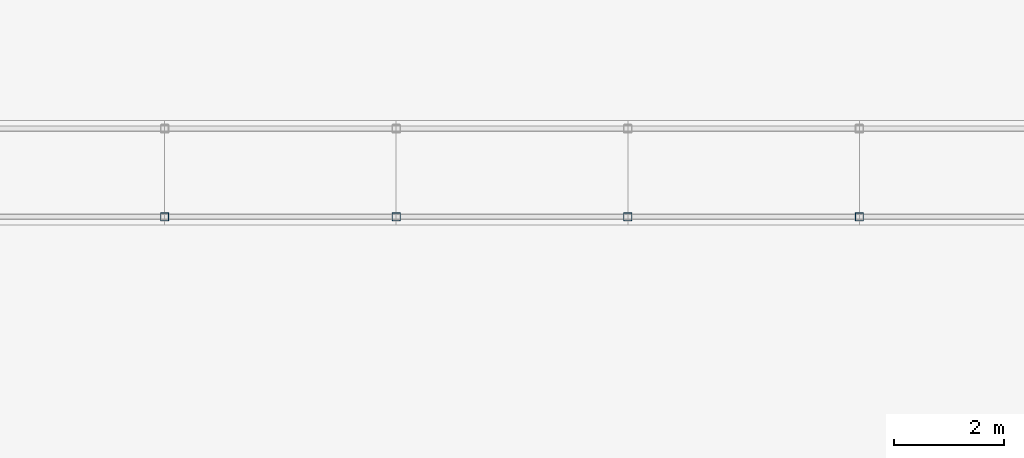
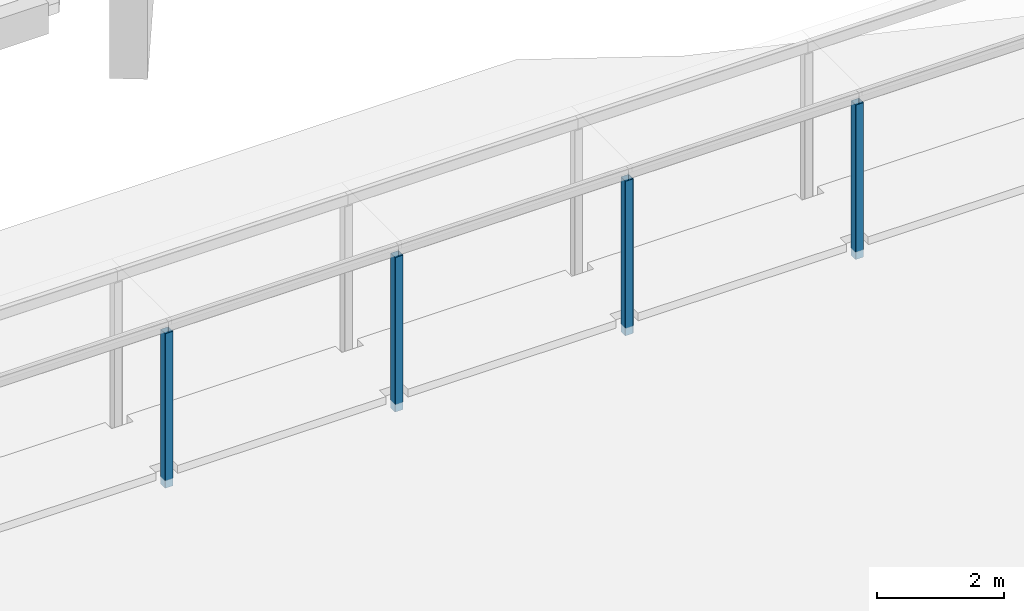
# One storey, part 4 of 116: 4 columns.
"""IFC4 building model written with IfcOpenShell, lengths in metres."""

from ifc_helpers import new_model, si_unit, direction, frame, origin, origin_2d, place, context, subcontext, project, spatial, hollow_rectangle, extrude, material, material_profile, profile_set, type_object, element, save


model = new_model("IFC4")

# Units and contexts
model_context = context("Model", 3, precision=1e-05, world=origin(), true_north=direction((0.0, 1.0)))
body_context = subcontext(model_context, "Body", "Model", "MODEL_VIEW")
ifc_project = project(units=[si_unit("LENGTHUNIT", "METRE"), si_unit("AREAUNIT", "SQUARE_METRE"), si_unit("VOLUMEUNIT", "CUBIC_METRE"), si_unit("PLANEANGLEUNIT", "RADIAN"), si_unit("MASSUNIT", "GRAM", prefix="KILO")], contexts=[model_context])

# Site, building, storey
site_placement = place(None, origin())
site = spatial("IfcSite", under=ifc_project, at=site_placement, CompositionType="ELEMENT")
building_placement = place(site_placement, origin())
building = spatial("IfcBuilding", under=site, at=building_placement, Name="Ardhachandra Cancer Care Centre", CompositionType="ELEMENT")
storey_placement = place(building_placement, origin())
storey = spatial("IfcBuildingStorey", under=building, at=storey_placement, Name="L00", CompositionType="ELEMENT", Elevation=0.0)

# Columns
ifc_material = material(Name="Steel E350 (IS 2062)", Category="steel")
ifc_material_profile = material_profile(ifc_material, hollow_rectangle(XDim=0.14990234375, YDim=0.14990234375, WallThickness=0.006103515625, InnerFilletRadius=0.006103515625, OuterFilletRadius=0.011962890625, at=origin_2d()), Name="SHS 150x150x6.0")
ifc_profile_set = profile_set([ifc_material_profile], Name="Steel E350 (IS 2062)")
column_type = type_object("IfcColumnType", Name="Walk column SHS 150x150x6.0", PredefinedType="COLUMN", material=ifc_profile_set)
for number, where, z_axis, x_axis, name in (
    (1, (56.39990234375, 22.199951171875, -0.300048828125), (0.0, 0.0, 1.0), (1.0, 0.0, 0.0), "Walk column S02"),
    (2, (52.199951171875, 22.199951171875, -0.300048828125), (0.0, 0.0, 1.0), (1.0, 0.0, 0.0), "Walk column S03"),
    (3, (48.0, 22.199951171875, -0.300048828125), (0.0, 0.0, 1.0), (1.0, 0.0, 0.0), "Walk column S04"),
    (4, (43.800048828125, 22.199951171875, -0.300048828125), (0.0, 0.0, 1.0), (1.0, 0.0, 0.0), "Walk column S05"),
):
    element("IfcColumn", number, at=place(storey_placement, frame(where, z_axis=z_axis, x_axis=x_axis)), inside=storey, type_object=column_type, Name=name, PredefinedType="COLUMN", context=body_context, shape_type="SweptSolid", body=[
        extrude(hollow_rectangle(XDim=0.14990234375, YDim=0.14990234375, WallThickness=0.006103515625, InnerFilletRadius=0.006103515625, OuterFilletRadius=0.011962890625, at=origin_2d()), origin(), (0.0, 0.0, 1.0), 2.97998046875),
    ])

save(model, "model.ifc")
